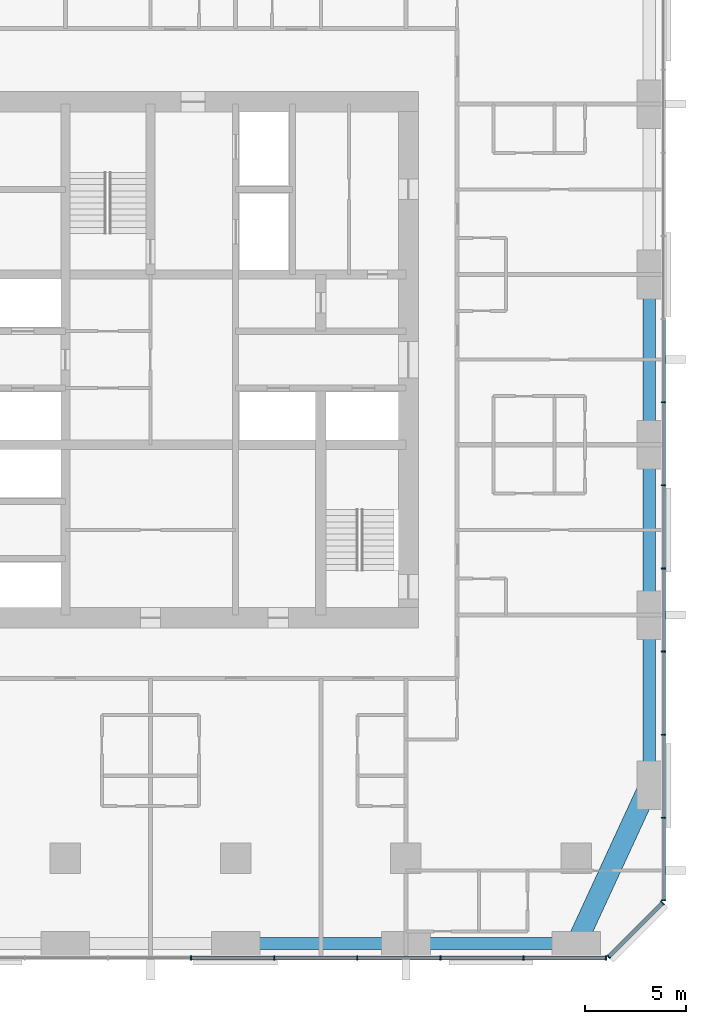
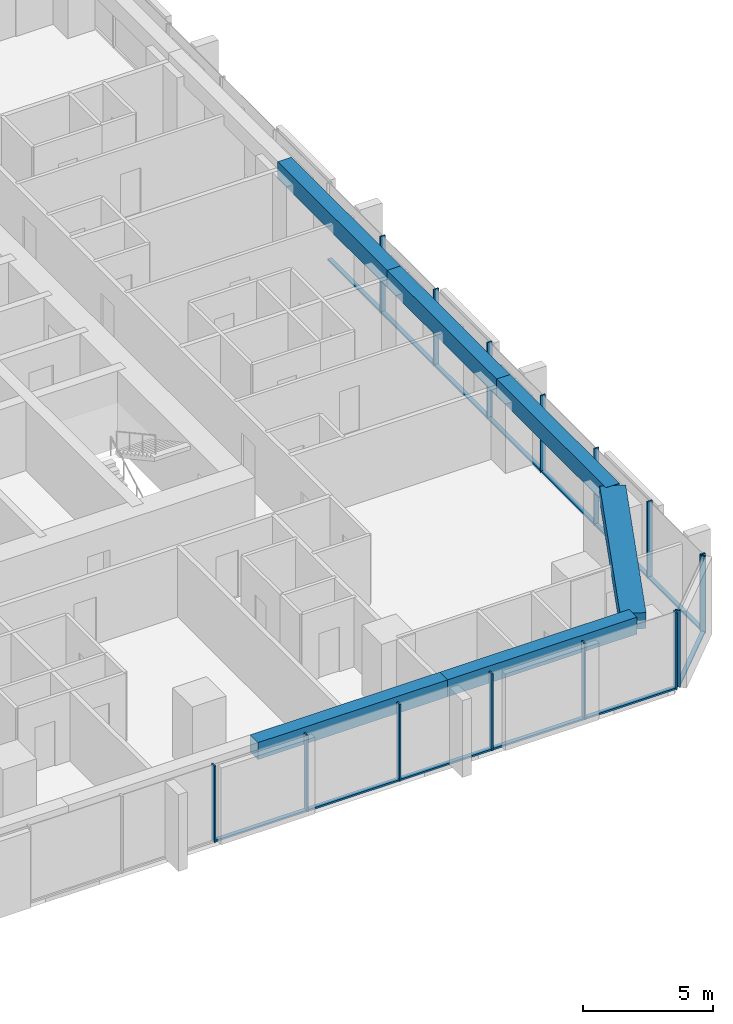
# One storey, part 4 of 14: 28 members, 6 beams, 3 elements without a shape of their own.
"""IFC4 building model written with IfcOpenShell, lengths in metres."""

from ifc_helpers import new_model, si_unit, direction, frame, origin, origin_2d, place, context, subcontext, project, spatial, rectangle, extrude, material, material_profile, profile_set, type_object, element, aggregate, save


model = new_model("IFC4")

# Units and contexts
model_context = context("Model", 3, precision=1e-05, world=origin(), true_north=direction((0.0, 1.0)))
body_context = subcontext(model_context, "Body", "Model", "MODEL_VIEW")
ifc_project = project(units=[si_unit("LENGTHUNIT", "METRE"), si_unit("AREAUNIT", "SQUARE_METRE"), si_unit("VOLUMEUNIT", "CUBIC_METRE"), si_unit("PLANEANGLEUNIT", "RADIAN"), si_unit("MASSUNIT", "GRAM", prefix="KILO")], contexts=[model_context])

# Site, building, storey
site_placement = place(None, origin())
site = spatial("IfcSite", under=ifc_project, at=site_placement, CompositionType="ELEMENT")
building_placement = place(site_placement, origin())
building = spatial("IfcBuilding", under=site, at=building_placement, Name="Dunama Terrace Hotel", CompositionType="ELEMENT")
storey_placement = place(building_placement, frame((0.0, 0.0, 122.39990234375)))
storey = spatial("IfcBuildingStorey", under=building, at=storey_placement, Name="L31", CompositionType="ELEMENT", Elevation=122.39990234375)

# Curtain wall, members
ifc_material_1 = material(Name="Aluminium curtain wall system", Category="aluminium")
curtain_wall_type = type_object("IfcCurtainWallType", Name="Unitised fritted glass wall CW-B", PredefinedType="NOTDEFINED", material=ifc_material_1)
curtain_wall_1_placement = place(storey_placement, origin())
curtain_wall_1 = element("IfcCurtainWall", 1, at=curtain_wall_1_placement, inside=storey, type_object=curtain_wall_type, Name="Unitised fritted glass wall CW-B L31", PredefinedType="NOTDEFINED")
ifc_material_2 = material(Name="Aluminium mullion", Category="aluminium")
ifc_material_profile_1 = material_profile(ifc_material_2, rectangle(XDim=0.06494140625, YDim=0.219970703125, at=origin_2d()), Name="CWB MULLION 65X220")
ifc_profile_set_1 = profile_set([ifc_material_profile_1], Name="Aluminium mullion")
member_type_1 = type_object("IfcMemberType", Name="CWB mullion 65x220", PredefinedType="MULLION", material=ifc_profile_set_1)
member_1_placement = place(storey_placement, frame((31.39990234375, -0.110107421875, 0.0), z_axis=(0.0, 0.0, 1.0), x_axis=(1.0, 0.0, 0.0)))
member_1 = element("IfcMember", 2, at=member_1_placement, type_object=member_type_1, Name="CWB mullion", PredefinedType="MULLION", context=body_context, shape_type="SweptSolid", body=[
    extrude(rectangle(XDim=0.06494140625, YDim=0.219970703125, at=origin_2d()), origin(), (0.0, 0.0, 1.0), 3.60009765625),
])
member_2_placement = place(storey_placement, frame((35.5, -0.110107421875, 0.0), z_axis=(0.0, 0.0, 1.0), x_axis=(1.0, 0.0, 0.0)))
member_2 = element("IfcMember", 3, at=member_2_placement, type_object=member_type_1, Name="CWB mullion", PredefinedType="MULLION", context=body_context, shape_type="SweptSolid", body=[
    extrude(rectangle(XDim=0.06494140625, YDim=0.219970703125, at=origin_2d()), origin(), (0.0, 0.0, 1.0), 3.60009765625),
])
member_3_placement = place(storey_placement, frame((39.60009765625, -0.110107421875, 0.0), z_axis=(0.0, 0.0, 1.0), x_axis=(1.0, 0.0, 0.0)))
member_3 = element("IfcMember", 4, at=member_3_placement, type_object=member_type_1, Name="CWB mullion", PredefinedType="MULLION", context=body_context, shape_type="SweptSolid", body=[
    extrude(rectangle(XDim=0.06494140625, YDim=0.219970703125, at=origin_2d()), origin(), (0.0, 0.0, 1.0), 3.60009765625),
])
member_4_placement = place(storey_placement, frame((43.699951171875, -0.110107421875, 0.0), z_axis=(0.0, 0.0, 1.0), x_axis=(1.0, 0.0, 0.0)))
member_4 = element("IfcMember", 5, at=member_4_placement, type_object=member_type_1, Name="CWB mullion", PredefinedType="MULLION", context=body_context, shape_type="SweptSolid", body=[
    extrude(rectangle(XDim=0.06494140625, YDim=0.219970703125, at=origin_2d()), origin(), (0.0, 0.0, 1.0), 3.60009765625),
])
member_5_placement = place(storey_placement, frame((47.800048828125, -0.110107421875, 0.0), z_axis=(0.0, 0.0, 1.0), x_axis=(1.0, 0.0, 0.0)))
member_5 = element("IfcMember", 6, at=member_5_placement, type_object=member_type_1, Name="CWB mullion", PredefinedType="MULLION", context=body_context, shape_type="SweptSolid", body=[
    extrude(rectangle(XDim=0.06494140625, YDim=0.219970703125, at=origin_2d()), origin(), (0.0, 0.0, 1.0), 3.60009765625),
])
member_6_placement = place(storey_placement, frame((51.866943359375, -0.110107421875, 0.0), z_axis=(0.0, 0.0, 1.0), x_axis=(1.0, 0.0, 0.0)))
member_6 = element("IfcMember", 7, at=member_6_placement, type_object=member_type_1, Name="CWB mullion", PredefinedType="MULLION", context=body_context, shape_type="SweptSolid", body=[
    extrude(rectangle(XDim=0.06494140625, YDim=0.219970703125, at=origin_2d()), origin(), (0.0, 0.0, 1.0), 3.60009765625),
])

curtain_wall_2_placement = place(storey_placement, origin())
curtain_wall_2 = element("IfcCurtainWall", 8, at=curtain_wall_2_placement, inside=storey, type_object=curtain_wall_type, Name="Unitised fritted glass wall CW-B L31", PredefinedType="NOTDEFINED")
member_7_placement = place(storey_placement, frame((52.0009765625, -0.054931640625, 0.0), z_axis=(0.0, 0.0, 1.0), x_axis=(0.707106781187, 0.707106781187, 0.0)))
member_7 = element("IfcMember", 9, at=member_7_placement, type_object=member_type_1, Name="CWB mullion", PredefinedType="MULLION", context=body_context, shape_type="SweptSolid", body=[
    extrude(rectangle(XDim=0.06494140625, YDim=0.219970703125, at=origin_2d()), origin(), (0.0, 0.0, 1.0), 3.60009765625),
])
member_8_placement = place(storey_placement, frame((54.655029296875, 2.59912109375, 0.0), z_axis=(0.0, 0.0, 1.0), x_axis=(0.707106781187, 0.707106781187, 0.0)))
member_8 = element("IfcMember", 10, at=member_8_placement, type_object=member_type_1, Name="CWB mullion", PredefinedType="MULLION", context=body_context, shape_type="SweptSolid", body=[
    extrude(rectangle(XDim=0.06494140625, YDim=0.219970703125, at=origin_2d()), origin(), (0.0, 0.0, 1.0), 3.60009765625),
])

curtain_wall_3_placement = place(storey_placement, origin())
curtain_wall_3 = element("IfcCurtainWall", 11, at=curtain_wall_3_placement, inside=storey, type_object=curtain_wall_type, Name="Unitised fritted glass wall CW-B L31", PredefinedType="NOTDEFINED")
member_9_placement = place(storey_placement, frame((54.7099609375, 2.73291015625, 0.0), z_axis=(0.0, 0.0, 1.0), x_axis=(0.0, 1.0, 0.0)))
member_9 = element("IfcMember", 12, at=member_9_placement, type_object=member_type_1, Name="CWB mullion", PredefinedType="MULLION", context=body_context, shape_type="SweptSolid", body=[
    extrude(rectangle(XDim=0.06494140625, YDim=0.219970703125, at=origin_2d()), origin(), (0.0, 0.0, 1.0), 3.60009765625),
])
member_10_placement = place(storey_placement, frame((54.7099609375, 6.800048828125, 0.0), z_axis=(0.0, 0.0, 1.0), x_axis=(0.0, 1.0, 0.0)))
member_10 = element("IfcMember", 13, at=member_10_placement, type_object=member_type_1, Name="CWB mullion", PredefinedType="MULLION", context=body_context, shape_type="SweptSolid", body=[
    extrude(rectangle(XDim=0.06494140625, YDim=0.219970703125, at=origin_2d()), origin(), (0.0, 0.0, 1.0), 3.60009765625),
])
member_11_placement = place(storey_placement, frame((54.7099609375, 10.89990234375, 0.0), z_axis=(0.0, 0.0, 1.0), x_axis=(0.0, 1.0, 0.0)))
member_11 = element("IfcMember", 14, at=member_11_placement, type_object=member_type_1, Name="CWB mullion", PredefinedType="MULLION", context=body_context, shape_type="SweptSolid", body=[
    extrude(rectangle(XDim=0.06494140625, YDim=0.219970703125, at=origin_2d()), origin(), (0.0, 0.0, 1.0), 3.60009765625),
])
member_12_placement = place(storey_placement, frame((54.7099609375, 15.0, 0.0), z_axis=(0.0, 0.0, 1.0), x_axis=(0.0, 1.0, 0.0)))
member_12 = element("IfcMember", 15, at=member_12_placement, type_object=member_type_1, Name="CWB mullion", PredefinedType="MULLION", context=body_context, shape_type="SweptSolid", body=[
    extrude(rectangle(XDim=0.06494140625, YDim=0.219970703125, at=origin_2d()), origin(), (0.0, 0.0, 1.0), 3.60009765625),
])
member_13_placement = place(storey_placement, frame((54.7099609375, 19.10009765625, 0.0), z_axis=(0.0, 0.0, 1.0), x_axis=(0.0, 1.0, 0.0)))
member_13 = element("IfcMember", 16, at=member_13_placement, type_object=member_type_1, Name="CWB mullion", PredefinedType="MULLION", context=body_context, shape_type="SweptSolid", body=[
    extrude(rectangle(XDim=0.06494140625, YDim=0.219970703125, at=origin_2d()), origin(), (0.0, 0.0, 1.0), 3.60009765625),
])
member_14_placement = place(storey_placement, frame((54.7099609375, 23.199951171875, 0.0), z_axis=(0.0, 0.0, 1.0), x_axis=(0.0, 1.0, 0.0)))
member_14 = element("IfcMember", 17, at=member_14_placement, type_object=member_type_1, Name="CWB mullion", PredefinedType="MULLION", context=body_context, shape_type="SweptSolid", body=[
    extrude(rectangle(XDim=0.06494140625, YDim=0.219970703125, at=origin_2d()), origin(), (0.0, 0.0, 1.0), 3.60009765625),
])
member_15_placement = place(storey_placement, frame((54.7099609375, 27.300048828125, 0.0), z_axis=(0.0, 0.0, 1.0), x_axis=(0.0, 1.0, 0.0)))
member_15 = element("IfcMember", 18, at=member_15_placement, type_object=member_type_1, Name="CWB mullion", PredefinedType="MULLION", context=body_context, shape_type="SweptSolid", body=[
    extrude(rectangle(XDim=0.06494140625, YDim=0.219970703125, at=origin_2d()), origin(), (0.0, 0.0, 1.0), 3.60009765625),
])

# Member
ifc_material_3 = material(Name="Aluminium transom", Category="aluminium")
ifc_material_profile_2 = material_profile(ifc_material_3, rectangle(XDim=0.179931640625, YDim=0.080078125, at=origin_2d()), Name="CWB TRANSOM 180X80")
ifc_profile_set_2 = profile_set([ifc_material_profile_2], Name="Aluminium transom")
member_type_2 = type_object("IfcMemberType", Name="CWB transom 180x80", PredefinedType="USERDEFINED", material=ifc_profile_set_2)
member_16_placement = place(storey_placement, frame((31.431884765625, -0.110107421875, 0.0400390625), z_axis=(1.0, 0.0, 0.0), x_axis=(0.0, 1.0, 0.0)))
member_16 = element("IfcMember", 19, at=member_16_placement, type_object=member_type_2, Name="CWB transom", ObjectType="TRANSOM", PredefinedType="USERDEFINED", context=body_context, shape_type="SweptSolid", body=[
    extrude(rectangle(XDim=0.179931640625, YDim=0.080078125, at=origin_2d()), origin(), (0.0, 0.0, 1.0), 4.0361328125),
])

member_17_placement = place(storey_placement, frame((35.531982421875, -0.110107421875, 0.0400390625), z_axis=(1.0, 0.0, 0.0), x_axis=(0.0, 1.0, 0.0)))
member_17 = element("IfcMember", 20, at=member_17_placement, type_object=member_type_2, Name="CWB transom", ObjectType="TRANSOM", PredefinedType="USERDEFINED", context=body_context, shape_type="SweptSolid", body=[
    extrude(rectangle(XDim=0.179931640625, YDim=0.080078125, at=origin_2d()), origin(), (0.0, 0.0, 1.0), 4.0361328125),
])

member_18_placement = place(storey_placement, frame((39.633056640625, -0.110107421875, 0.0400390625), z_axis=(1.0, 0.0, 0.0), x_axis=(0.0, 1.0, 0.0)))
member_18 = element("IfcMember", 21, at=member_18_placement, type_object=member_type_2, Name="CWB transom", ObjectType="TRANSOM", PredefinedType="USERDEFINED", context=body_context, shape_type="SweptSolid", body=[
    extrude(rectangle(XDim=0.179931640625, YDim=0.080078125, at=origin_2d()), origin(), (0.0, 0.0, 1.0), 4.034912109375),
])

member_19_placement = place(storey_placement, frame((43.73291015625, -0.110107421875, 0.0400390625), z_axis=(1.0, 0.0, 0.0), x_axis=(0.0, 1.0, 0.0)))
member_19 = element("IfcMember", 22, at=member_19_placement, type_object=member_type_2, Name="CWB transom", ObjectType="TRANSOM", PredefinedType="USERDEFINED", context=body_context, shape_type="SweptSolid", body=[
    extrude(rectangle(XDim=0.179931640625, YDim=0.080078125, at=origin_2d()), origin(), (0.0, 0.0, 1.0), 4.0341796875),
])

member_20_placement = place(storey_placement, frame((47.83203125, -0.110107421875, 0.0400390625), z_axis=(1.0, 0.0, 0.0), x_axis=(0.0, 1.0, 0.0)))
member_20 = element("IfcMember", 23, at=member_20_placement, type_object=member_type_2, Name="CWB transom", ObjectType="TRANSOM", PredefinedType="USERDEFINED", context=body_context, shape_type="SweptSolid", body=[
    extrude(rectangle(XDim=0.179931640625, YDim=0.080078125, at=origin_2d()), origin(), (0.0, 0.0, 1.0), 4.0029296875),
])

aggregate(curtain_wall_1, [member_1, member_2, member_3, member_4, member_5, member_6, member_16, member_17, member_18, member_19, member_20])

member_21_placement = place(storey_placement, frame((52.02392578125, -0.031982421875, 0.0400390625), z_axis=(0.707139876915, 0.707073683909, 0.0), x_axis=(-0.707073683909, 0.707139876915, 0.0)))
member_21 = element("IfcMember", 24, at=member_21_placement, type_object=member_type_2, Name="CWB transom", ObjectType="TRANSOM", PredefinedType="USERDEFINED", context=body_context, shape_type="SweptSolid", body=[
    extrude(rectangle(XDim=0.179931640625, YDim=0.080078125, at=origin_2d()), origin(), (0.0, 0.0, 1.0), 3.688232421875),
])

aggregate(curtain_wall_2, [member_7, member_8, member_21])

member_22_placement = place(storey_placement, frame((54.7099609375, 2.764892578125, 0.0400390625), z_axis=(0.0, 1.0, 0.0), x_axis=(-1.0, 0.0, 0.0)))
member_22 = element("IfcMember", 25, at=member_22_placement, type_object=member_type_2, Name="CWB transom", ObjectType="TRANSOM", PredefinedType="USERDEFINED", context=body_context, shape_type="SweptSolid", body=[
    extrude(rectangle(XDim=0.179931640625, YDim=0.080078125, at=origin_2d()), origin(), (0.0, 0.0, 1.0), 4.003173828125),
])

member_23_placement = place(storey_placement, frame((54.7099609375, 6.83203125, 0.0400390625), z_axis=(0.0, 1.0, 0.0), x_axis=(-1.0, 0.0, 0.0)))
member_23 = element("IfcMember", 26, at=member_23_placement, type_object=member_type_2, Name="CWB transom", ObjectType="TRANSOM", PredefinedType="USERDEFINED", context=body_context, shape_type="SweptSolid", body=[
    extrude(rectangle(XDim=0.179931640625, YDim=0.080078125, at=origin_2d()), origin(), (0.0, 0.0, 1.0), 4.034912109375),
])

member_24_placement = place(storey_placement, frame((54.7099609375, 10.93310546875, 0.0400390625), z_axis=(0.0, 1.0, 0.0), x_axis=(-1.0, 0.0, 0.0)))
member_24 = element("IfcMember", 27, at=member_24_placement, type_object=member_type_2, Name="CWB transom", ObjectType="TRANSOM", PredefinedType="USERDEFINED", context=body_context, shape_type="SweptSolid", body=[
    extrude(rectangle(XDim=0.179931640625, YDim=0.080078125, at=origin_2d()), origin(), (0.0, 0.0, 1.0), 4.033935546875),
])

member_25_placement = place(storey_placement, frame((54.7099609375, 15.031982421875, 0.0400390625), z_axis=(0.0, 1.0, 0.0), x_axis=(-1.0, 0.0, 0.0)))
member_25 = element("IfcMember", 28, at=member_25_placement, type_object=member_type_2, Name="CWB transom", ObjectType="TRANSOM", PredefinedType="USERDEFINED", context=body_context, shape_type="SweptSolid", body=[
    extrude(rectangle(XDim=0.179931640625, YDim=0.080078125, at=origin_2d()), origin(), (0.0, 0.0, 1.0), 4.034912109375),
])

member_26_placement = place(storey_placement, frame((54.7099609375, 19.132080078125, 0.0400390625), z_axis=(0.0, 1.0, 0.0), x_axis=(-1.0, 0.0, 0.0)))
member_26 = element("IfcMember", 29, at=member_26_placement, type_object=member_type_2, Name="CWB transom", ObjectType="TRANSOM", PredefinedType="USERDEFINED", context=body_context, shape_type="SweptSolid", body=[
    extrude(rectangle(XDim=0.179931640625, YDim=0.080078125, at=origin_2d()), origin(), (0.0, 0.0, 1.0), 4.035888671875),
])

member_27_placement = place(storey_placement, frame((54.7099609375, 23.23193359375, 0.0400390625), z_axis=(0.0, 1.0, 0.0), x_axis=(-1.0, 0.0, 0.0)))
member_27 = element("IfcMember", 30, at=member_27_placement, type_object=member_type_2, Name="CWB transom", ObjectType="TRANSOM", PredefinedType="USERDEFINED", context=body_context, shape_type="SweptSolid", body=[
    extrude(rectangle(XDim=0.179931640625, YDim=0.080078125, at=origin_2d()), origin(), (0.0, 0.0, 1.0), 4.03515625),
])

member_28_placement = place(storey_placement, frame((54.7099609375, 27.33203125, 0.0400390625), z_axis=(0.0, 1.0, 0.0), x_axis=(-1.0, 0.0, 0.0)))
member_28 = element("IfcMember", 31, at=member_28_placement, type_object=member_type_2, Name="CWB transom", ObjectType="TRANSOM", PredefinedType="USERDEFINED", context=body_context, shape_type="SweptSolid", body=[
    extrude(rectangle(XDim=0.179931640625, YDim=0.080078125, at=origin_2d()), origin(), (0.0, 0.0, 1.0), 4.034912109375),
])

aggregate(curtain_wall_3, [member_9, member_10, member_11, member_12, member_13, member_14, member_15, member_22, member_23, member_24, member_25, member_26, member_27, member_28])

# Beams
ifc_material_4 = material(Name="Concrete C50/60", Category="concrete")
ifc_material_profile_3 = material_profile(ifc_material_4, rectangle(XDim=1.0, YDim=0.75, at=origin_2d()), Name="RC 1000x750")
ifc_profile_set_3 = profile_set([ifc_material_profile_3], Name="Concrete C50/60")
beam_type_1 = type_object("IfcBeamType", Name="Edge beam RC 1000x750", PredefinedType="SPANDREL", material=ifc_profile_set_3)
beam_1_placement = place(storey_placement, frame((50.39990234375, 0.60009765625, 3.22509765625), z_axis=(0.419076199598, 0.907951066374, 0.0), x_axis=(-0.907951066374, 0.419076199598, 0.0)))
element("IfcBeam", 32, at=beam_1_placement, inside=storey, type_object=beam_type_1, Name="Corner edge beam under L32", PredefinedType="SPANDREL", context=body_context, shape_type="SweptSolid", body=[
    extrude(rectangle(XDim=1.0, YDim=0.75, at=origin_2d()), origin(), (0.0, 0.0, 1.0), 8.590576171875),
])
ifc_material_5 = material(Name="Concrete C40/50", Category="concrete")
ifc_material_profile_4 = material_profile(ifc_material_5, rectangle(XDim=0.60009765625, YDim=0.800048828125, at=origin_2d()), Name="RC 600x800")
ifc_profile_set_4 = profile_set([ifc_material_profile_4], Name="Concrete C40/50")
beam_type_2 = type_object("IfcBeamType", Name="Edge beam RC 600x800", PredefinedType="SPANDREL", material=ifc_profile_set_4)
beam_2_placement = place(storey_placement, frame((54.0, 8.39990234375, 3.2001953125), z_axis=(0.0, 1.0, 0.0), x_axis=(-1.0, 0.0, 0.0)))
element("IfcBeam", 33, at=beam_2_placement, inside=storey, type_object=beam_type_2, Name="Edge beam under L32", PredefinedType="SPANDREL", context=body_context, shape_type="SweptSolid", body=[
    extrude(rectangle(XDim=0.60009765625, YDim=0.800048828125, at=origin_2d()), origin(), (0.0, 0.0, 1.0), 8.400146484375),
])
beam_3_placement = place(storey_placement, frame((54.0, 16.800048828125, 3.2001953125), z_axis=(0.0, 1.0, 0.0), x_axis=(-1.0, 0.0, 0.0)))
element("IfcBeam", 34, at=beam_3_placement, inside=storey, type_object=beam_type_2, Name="Edge beam under L32", PredefinedType="SPANDREL", context=body_context, shape_type="SweptSolid", body=[
    extrude(rectangle(XDim=0.60009765625, YDim=0.800048828125, at=origin_2d()), origin(), (0.0, 0.0, 1.0), 8.39990234375),
])
beam_4_placement = place(storey_placement, frame((54.0, 25.199951171875, 3.2001953125), z_axis=(0.0, 1.0, 0.0), x_axis=(-1.0, 0.0, 0.0)))
element("IfcBeam", 35, at=beam_4_placement, inside=storey, type_object=beam_type_2, Name="Edge beam under L32", PredefinedType="SPANDREL", context=body_context, shape_type="SweptSolid", body=[
    extrude(rectangle(XDim=0.60009765625, YDim=0.800048828125, at=origin_2d()), origin(), (0.0, 0.0, 1.0), 8.400146484375),
])
for number, where, z_axis, x_axis, name in (
    (36, (33.60009765625, 0.60009765625, 3.2001953125), (1.0, 0.0, 0.0), (0.0, 1.0, 0.0), "Edge beam under L32"),
    (37, (42.0, 0.60009765625, 3.2001953125), (1.0, 0.0, 0.0), (0.0, 1.0, 0.0), "Edge beam under L32"),
):
    element("IfcBeam", number, at=place(storey_placement, frame(where, z_axis=z_axis, x_axis=x_axis)), inside=storey, type_object=beam_type_2, Name=name, PredefinedType="SPANDREL", context=body_context, shape_type="SweptSolid", body=[
        extrude(rectangle(XDim=0.60009765625, YDim=0.800048828125, at=origin_2d()), origin(), (0.0, 0.0, 1.0), 8.39990234375),
    ])

save(model, "model.ifc")
